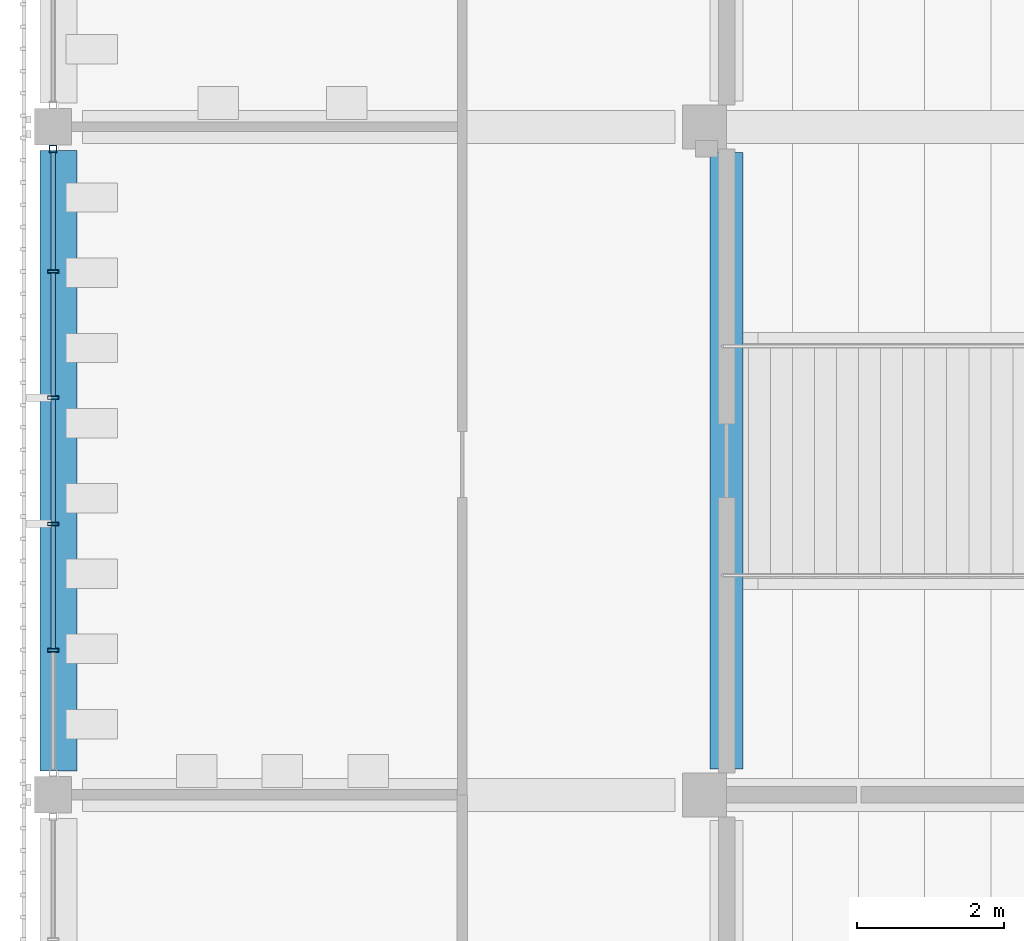
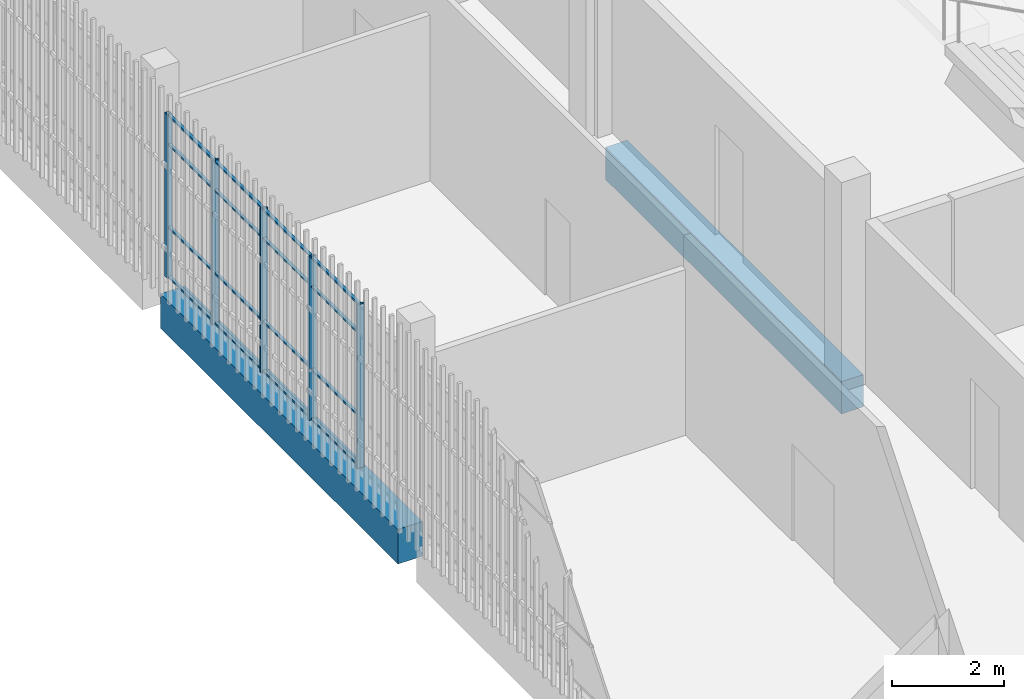
# One storey, part 20 of 139: 21 members, 2 beams, 1 element without a shape of its own.
"""IFC4 building model written with IfcOpenShell, lengths in metres."""

from ifc_helpers import new_model, si_unit, direction, frame, origin, origin_2d, place, context, subcontext, project, spatial, rectangle, hollow_rectangle, extrude, material, layer, layer_set, material_profile, profile_set, type_object, element, aggregate, save


model = new_model("IFC4")

# Units and contexts
model_context = context("Model", 3, precision=1e-05, world=origin(), true_north=direction((0.0, 1.0)))
body_context = subcontext(model_context, "Body", "Model", "MODEL_VIEW")
ifc_project = project(units=[si_unit("LENGTHUNIT", "METRE"), si_unit("AREAUNIT", "SQUARE_METRE"), si_unit("VOLUMEUNIT", "CUBIC_METRE"), si_unit("PLANEANGLEUNIT", "RADIAN"), si_unit("MASSUNIT", "GRAM", prefix="KILO")], contexts=[model_context])

# Site, building, storey
site_placement = place(None, origin())
site = spatial("IfcSite", under=ifc_project, at=site_placement, CompositionType="ELEMENT")
building_placement = place(site_placement, origin())
building = spatial("IfcBuilding", under=site, at=building_placement, Name="Shirokan Park Arena", CompositionType="ELEMENT")
storey_placement = place(building_placement, frame((0.0, 0.0, 15.469970703125)))
storey = spatial("IfcBuildingStorey", under=building, at=storey_placement, Name="L03", CompositionType="ELEMENT", Elevation=15.469970703125)

# Curtain wall, members
ifc_material_1 = material(Name="Steel and glass curtain wall", Category="steel")
ifc_layer = layer(ifc_material_1, 0.14990234375)
ifc_layer_set = layer_set([ifc_layer], Name="Steel and glass curtain wall 150 mm")
curtain_wall_type = type_object("IfcCurtainWallType", Name="Curtain wall exposed bay 150", PredefinedType="NOTDEFINED", material=ifc_layer_set)
curtain_wall_placement = place(storey_placement, origin())
curtain_wall = element("IfcCurtainWall", 1, at=curtain_wall_placement, inside=storey, type_object=curtain_wall_type, Name="Curtain wall west bay 6 L03", PredefinedType="NOTDEFINED")
ifc_material_2 = material(Name="Steel S355", Category="steel")
ifc_material_profile_1 = material_profile(ifc_material_2, hollow_rectangle(XDim=0.10009765625, YDim=0.10009765625, WallThickness=0.006103515625, at=origin_2d()), Name="RHS 100x100x6")
ifc_profile_set_1 = profile_set([ifc_material_profile_1], Name="Steel S355")
member_type_1 = type_object("IfcMemberType", Name="Mullion RHS 100x100x6", PredefinedType="MULLION", material=ifc_profile_set_1)
member_1_placement = place(storey_placement, frame((-0.074951171875, 63.39990234375, 0.0), z_axis=(0.0, 0.0, 1.0), x_axis=(1.0, 0.0, 0.0)))
member_1 = element("IfcMember", 2, at=member_1_placement, type_object=member_type_1, Name="CW1 mullion 1", PredefinedType="MULLION", context=body_context, shape_type="SweptSolid", body=[
    extrude(hollow_rectangle(XDim=0.10009765625, YDim=0.10009765625, WallThickness=0.006103515625, at=origin_2d()), origin(), (0.0, 0.0, 1.0), 3.550048828125),
])
ifc_material_profile_2 = material_profile(ifc_material_2, hollow_rectangle(XDim=0.14990234375, YDim=0.050048828125, WallThickness=0.006103515625, at=origin_2d()), Name="RHS 150x50x6")
ifc_profile_set_2 = profile_set([ifc_material_profile_2], Name="Steel S355")
member_type_2 = type_object("IfcMemberType", Name="Mullion RHS 150x50x6", PredefinedType="MULLION", material=ifc_profile_set_2)
member_2_placement = place(storey_placement, frame((-0.074951171875, 61.72998046875, 0.0), z_axis=(0.0, 0.0, 1.0), x_axis=(1.0, 0.0, 0.0)))
member_2 = element("IfcMember", 3, at=member_2_placement, type_object=member_type_2, Name="CW1 mullion 2", PredefinedType="MULLION", context=body_context, shape_type="SweptSolid", body=[
    extrude(hollow_rectangle(XDim=0.14990234375, YDim=0.050048828125, WallThickness=0.006103515625, at=origin_2d()), origin(), (0.0, 0.0, 1.0), 3.550048828125),
])
member_3_placement = place(storey_placement, frame((-0.074951171875, 60.010009765625, 0.0), z_axis=(0.0, 0.0, 1.0), x_axis=(1.0, 0.0, 0.0)))
member_3 = element("IfcMember", 4, at=member_3_placement, type_object=member_type_2, Name="CW1 mullion 3", PredefinedType="MULLION", context=body_context, shape_type="SweptSolid", body=[
    extrude(hollow_rectangle(XDim=0.14990234375, YDim=0.050048828125, WallThickness=0.006103515625, at=origin_2d()), origin(), (0.0, 0.0, 1.0), 3.550048828125),
])
member_4_placement = place(storey_placement, frame((-0.074951171875, 58.2900390625, 0.0), z_axis=(0.0, 0.0, 1.0), x_axis=(1.0, 0.0, 0.0)))
member_4 = element("IfcMember", 5, at=member_4_placement, type_object=member_type_2, Name="CW1 mullion 4", PredefinedType="MULLION", context=body_context, shape_type="SweptSolid", body=[
    extrude(hollow_rectangle(XDim=0.14990234375, YDim=0.050048828125, WallThickness=0.006103515625, at=origin_2d()), origin(), (0.0, 0.0, 1.0), 3.550048828125),
])
member_5_placement = place(storey_placement, frame((-0.074951171875, 56.570068359375, 0.0), z_axis=(0.0, 0.0, 1.0), x_axis=(1.0, 0.0, 0.0)))
member_5 = element("IfcMember", 6, at=member_5_placement, type_object=member_type_2, Name="CW1 mullion 5", PredefinedType="MULLION", context=body_context, shape_type="SweptSolid", body=[
    extrude(hollow_rectangle(XDim=0.14990234375, YDim=0.050048828125, WallThickness=0.006103515625, at=origin_2d()), origin(), (0.0, 0.0, 1.0), 3.550048828125),
])

# Beams
ifc_material_3 = material(Name="Concrete C35", Category="concrete")
ifc_material_profile_3 = material_profile(ifc_material_3, rectangle(XDim=0.449951171875, YDim=0.699951171875, at=origin_2d()), Name="450x700")
ifc_profile_set_3 = profile_set([ifc_material_profile_3], Name="Concrete C35")
beam_type_1 = type_object("IfcBeamType", Name="RC girder 450x700", PredefinedType="BEAM", material=ifc_profile_set_3)
beam_1_placement = place(storey_placement, frame((9.10009765625, 54.9501953125, -0.64990234375), z_axis=(0.0, 1.0, 0.0), x_axis=(-1.0, 0.0, 0.0)))
element("IfcBeam", 7, at=beam_1_placement, inside=storey, type_object=beam_type_1, Name="Girder 2G-2H L03", PredefinedType="BEAM", context=body_context, shape_type="SweptSolid", body=[
    extrude(rectangle(XDim=0.449951171875, YDim=0.699951171875, at=origin_2d()), origin(), (0.0, 0.0, 1.0), 8.399658203125),
])
ifc_material_profile_4 = material_profile(ifc_material_3, rectangle(XDim=0.5, YDim=0.75, at=origin_2d()), Name="500x750")
ifc_profile_set_4 = profile_set([ifc_material_profile_4], Name="Concrete C35")
beam_type_2 = type_object("IfcBeamType", Name="RC girder 500x750", PredefinedType="BEAM", material=ifc_profile_set_4)
beam_2_placement = place(storey_placement, frame((0.0, 54.925048828125, -0.675048828125), z_axis=(0.0, 1.0, 0.0), x_axis=(-1.0, 0.0, 0.0)))
element("IfcBeam", 8, at=beam_2_placement, inside=storey, type_object=beam_type_2, Name="Girder 1G-1H L03", PredefinedType="BEAM", context=body_context, shape_type="SweptSolid", body=[
    extrude(rectangle(XDim=0.5, YDim=0.75, at=origin_2d()), origin(), (0.0, 0.0, 1.0), 8.449951171875),
])

# Member
ifc_material_profile_5 = material_profile(ifc_material_2, hollow_rectangle(XDim=0.06005859375, YDim=0.0400390625, WallThickness=0.00390625, at=origin_2d()), Name="RHS 60x40x4")
ifc_profile_set_5 = profile_set([ifc_material_profile_5], Name="Steel S355")
member_type_3 = type_object("IfcMemberType", Name="Transom RHS 60x40x4", PredefinedType="MULLION", material=ifc_profile_set_5)
member_6_placement = place(storey_placement, frame((-0.074951171875, 63.35009765625, 0.02001953125), z_axis=(0.0, -1.0, 0.0), x_axis=(1.0, 0.0, 0.0)))
member_6 = element("IfcMember", 9, at=member_6_placement, type_object=member_type_3, Name="CW1 transom 1.1", PredefinedType="MULLION", context=body_context, shape_type="SweptSolid", body=[
    extrude(hollow_rectangle(XDim=0.06005859375, YDim=0.0400390625, WallThickness=0.00390625, at=origin_2d()), origin(), (0.0, 0.0, 1.0), 1.59521484375),
])

member_7_placement = place(storey_placement, frame((-0.074951171875, 63.35009765625, 1.10009765625), z_axis=(0.0, -1.0, 0.0), x_axis=(1.0, 0.0, 0.0)))
member_7 = element("IfcMember", 10, at=member_7_placement, type_object=member_type_3, Name="CW1 transom 1.2", PredefinedType="MULLION", context=body_context, shape_type="SweptSolid", body=[
    extrude(hollow_rectangle(XDim=0.06005859375, YDim=0.0400390625, WallThickness=0.00390625, at=origin_2d()), origin(), (0.0, 0.0, 1.0), 1.59521484375),
])

member_8_placement = place(storey_placement, frame((-0.074951171875, 63.35009765625, 2.900146484375), z_axis=(0.0, -1.0, 0.0), x_axis=(1.0, 0.0, 0.0)))
member_8 = element("IfcMember", 11, at=member_8_placement, type_object=member_type_3, Name="CW1 transom 1.3", PredefinedType="MULLION", context=body_context, shape_type="SweptSolid", body=[
    extrude(hollow_rectangle(XDim=0.06005859375, YDim=0.0400390625, WallThickness=0.00390625, at=origin_2d()), origin(), (0.0, 0.0, 1.0), 1.59521484375),
])

member_9_placement = place(storey_placement, frame((-0.074951171875, 63.35009765625, 3.530029296875), z_axis=(0.0, -1.0, 0.0), x_axis=(1.0, 0.0, 0.0)))
member_9 = element("IfcMember", 12, at=member_9_placement, type_object=member_type_3, Name="CW1 transom 1.4", PredefinedType="MULLION", context=body_context, shape_type="SweptSolid", body=[
    extrude(hollow_rectangle(XDim=0.06005859375, YDim=0.0400390625, WallThickness=0.00390625, at=origin_2d()), origin(), (0.0, 0.0, 1.0), 1.59521484375),
])

member_10_placement = place(storey_placement, frame((-0.074951171875, 61.705078125, 0.02001953125), z_axis=(0.0, -1.0, 0.0), x_axis=(1.0, 0.0, 0.0)))
member_10 = element("IfcMember", 13, at=member_10_placement, type_object=member_type_3, Name="CW1 transom 2.1", PredefinedType="MULLION", context=body_context, shape_type="SweptSolid", body=[
    extrude(hollow_rectangle(XDim=0.06005859375, YDim=0.0400390625, WallThickness=0.00390625, at=origin_2d()), origin(), (0.0, 0.0, 1.0), 1.670166015625),
])

member_11_placement = place(storey_placement, frame((-0.074951171875, 61.705078125, 1.10009765625), z_axis=(0.0, -1.0, 0.0), x_axis=(1.0, 0.0, 0.0)))
member_11 = element("IfcMember", 14, at=member_11_placement, type_object=member_type_3, Name="CW1 transom 2.2", PredefinedType="MULLION", context=body_context, shape_type="SweptSolid", body=[
    extrude(hollow_rectangle(XDim=0.06005859375, YDim=0.0400390625, WallThickness=0.00390625, at=origin_2d()), origin(), (0.0, 0.0, 1.0), 1.670166015625),
])

member_12_placement = place(storey_placement, frame((-0.074951171875, 61.705078125, 2.900146484375), z_axis=(0.0, -1.0, 0.0), x_axis=(1.0, 0.0, 0.0)))
member_12 = element("IfcMember", 15, at=member_12_placement, type_object=member_type_3, Name="CW1 transom 2.3", PredefinedType="MULLION", context=body_context, shape_type="SweptSolid", body=[
    extrude(hollow_rectangle(XDim=0.06005859375, YDim=0.0400390625, WallThickness=0.00390625, at=origin_2d()), origin(), (0.0, 0.0, 1.0), 1.670166015625),
])

member_13_placement = place(storey_placement, frame((-0.074951171875, 61.705078125, 3.530029296875), z_axis=(0.0, -1.0, 0.0), x_axis=(1.0, 0.0, 0.0)))
member_13 = element("IfcMember", 16, at=member_13_placement, type_object=member_type_3, Name="CW1 transom 2.4", PredefinedType="MULLION", context=body_context, shape_type="SweptSolid", body=[
    extrude(hollow_rectangle(XDim=0.06005859375, YDim=0.0400390625, WallThickness=0.00390625, at=origin_2d()), origin(), (0.0, 0.0, 1.0), 1.670166015625),
])

member_14_placement = place(storey_placement, frame((-0.074951171875, 59.985107421875, 0.02001953125), z_axis=(0.0, -1.0, 0.0), x_axis=(1.0, 0.0, 0.0)))
member_14 = element("IfcMember", 17, at=member_14_placement, type_object=member_type_3, Name="CW1 transom 3.1", PredefinedType="MULLION", context=body_context, shape_type="SweptSolid", body=[
    extrude(hollow_rectangle(XDim=0.06005859375, YDim=0.0400390625, WallThickness=0.00390625, at=origin_2d()), origin(), (0.0, 0.0, 1.0), 1.670166015625),
])

member_15_placement = place(storey_placement, frame((-0.074951171875, 59.985107421875, 1.10009765625), z_axis=(0.0, -1.0, 0.0), x_axis=(1.0, 0.0, 0.0)))
member_15 = element("IfcMember", 18, at=member_15_placement, type_object=member_type_3, Name="CW1 transom 3.2", PredefinedType="MULLION", context=body_context, shape_type="SweptSolid", body=[
    extrude(hollow_rectangle(XDim=0.06005859375, YDim=0.0400390625, WallThickness=0.00390625, at=origin_2d()), origin(), (0.0, 0.0, 1.0), 1.670166015625),
])

member_16_placement = place(storey_placement, frame((-0.074951171875, 59.985107421875, 2.900146484375), z_axis=(0.0, -1.0, 0.0), x_axis=(1.0, 0.0, 0.0)))
member_16 = element("IfcMember", 19, at=member_16_placement, type_object=member_type_3, Name="CW1 transom 3.3", PredefinedType="MULLION", context=body_context, shape_type="SweptSolid", body=[
    extrude(hollow_rectangle(XDim=0.06005859375, YDim=0.0400390625, WallThickness=0.00390625, at=origin_2d()), origin(), (0.0, 0.0, 1.0), 1.670166015625),
])

member_17_placement = place(storey_placement, frame((-0.074951171875, 59.985107421875, 3.530029296875), z_axis=(0.0, -1.0, 0.0), x_axis=(1.0, 0.0, 0.0)))
member_17 = element("IfcMember", 20, at=member_17_placement, type_object=member_type_3, Name="CW1 transom 3.4", PredefinedType="MULLION", context=body_context, shape_type="SweptSolid", body=[
    extrude(hollow_rectangle(XDim=0.06005859375, YDim=0.0400390625, WallThickness=0.00390625, at=origin_2d()), origin(), (0.0, 0.0, 1.0), 1.670166015625),
])

member_18_placement = place(storey_placement, frame((-0.074951171875, 58.264892578125, 0.02001953125), z_axis=(0.0, -1.0, 0.0), x_axis=(1.0, 0.0, 0.0)))
member_18 = element("IfcMember", 21, at=member_18_placement, type_object=member_type_3, Name="CW1 transom 4.1", PredefinedType="MULLION", context=body_context, shape_type="SweptSolid", body=[
    extrude(hollow_rectangle(XDim=0.06005859375, YDim=0.0400390625, WallThickness=0.00390625, at=origin_2d()), origin(), (0.0, 0.0, 1.0), 1.669921875),
])

member_19_placement = place(storey_placement, frame((-0.074951171875, 58.264892578125, 1.10009765625), z_axis=(0.0, -1.0, 0.0), x_axis=(1.0, 0.0, 0.0)))
member_19 = element("IfcMember", 22, at=member_19_placement, type_object=member_type_3, Name="CW1 transom 4.2", PredefinedType="MULLION", context=body_context, shape_type="SweptSolid", body=[
    extrude(hollow_rectangle(XDim=0.06005859375, YDim=0.0400390625, WallThickness=0.00390625, at=origin_2d()), origin(), (0.0, 0.0, 1.0), 1.669921875),
])

member_20_placement = place(storey_placement, frame((-0.074951171875, 58.264892578125, 2.900146484375), z_axis=(0.0, -1.0, 0.0), x_axis=(1.0, 0.0, 0.0)))
member_20 = element("IfcMember", 23, at=member_20_placement, type_object=member_type_3, Name="CW1 transom 4.3", PredefinedType="MULLION", context=body_context, shape_type="SweptSolid", body=[
    extrude(hollow_rectangle(XDim=0.06005859375, YDim=0.0400390625, WallThickness=0.00390625, at=origin_2d()), origin(), (0.0, 0.0, 1.0), 1.669921875),
])

member_21_placement = place(storey_placement, frame((-0.074951171875, 58.264892578125, 3.530029296875), z_axis=(0.0, -1.0, 0.0), x_axis=(1.0, 0.0, 0.0)))
member_21 = element("IfcMember", 24, at=member_21_placement, type_object=member_type_3, Name="CW1 transom 4.4", PredefinedType="MULLION", context=body_context, shape_type="SweptSolid", body=[
    extrude(hollow_rectangle(XDim=0.06005859375, YDim=0.0400390625, WallThickness=0.00390625, at=origin_2d()), origin(), (0.0, 0.0, 1.0), 1.669921875),
])

aggregate(curtain_wall, [member_1, member_2, member_3, member_4, member_5, member_6, member_7, member_8, member_9, member_10, member_11, member_12, member_13, member_14, member_15, member_16, member_17, member_18, member_19, member_20, member_21])

save(model, "model.ifc")
